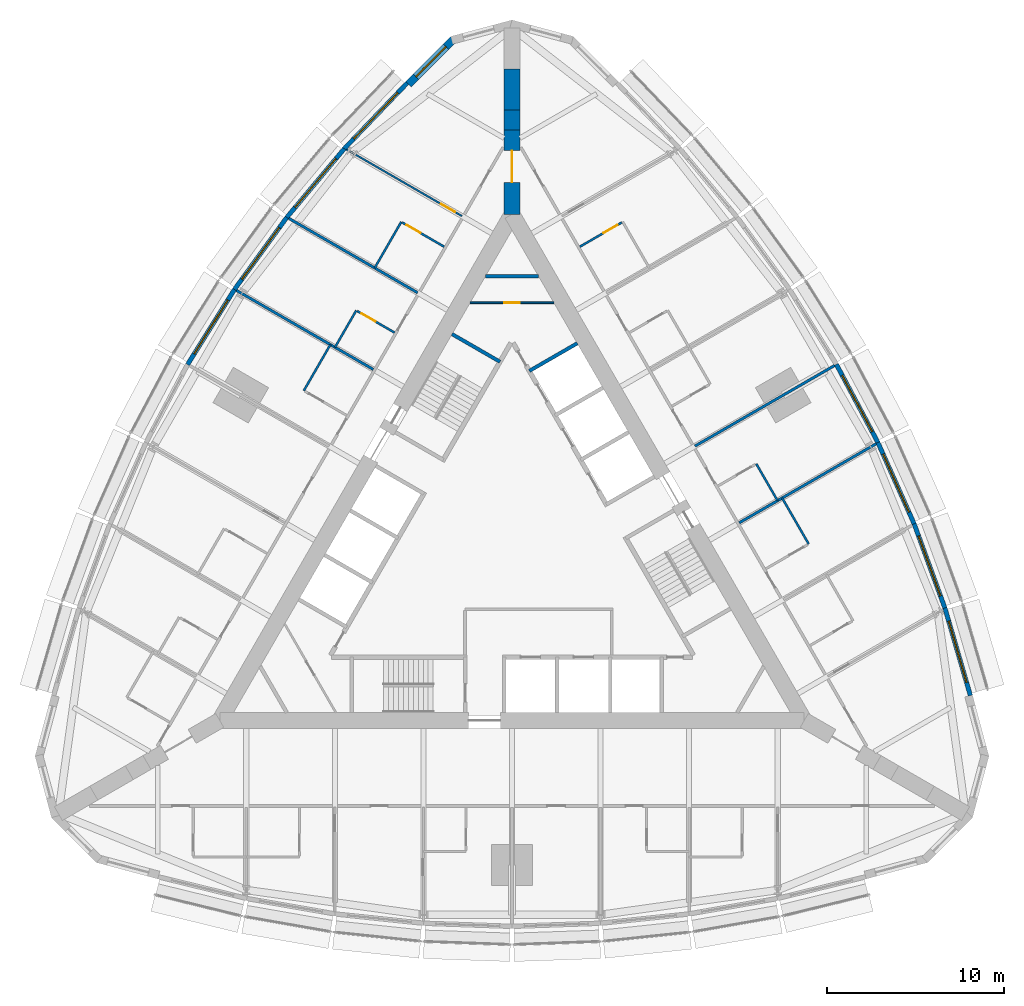
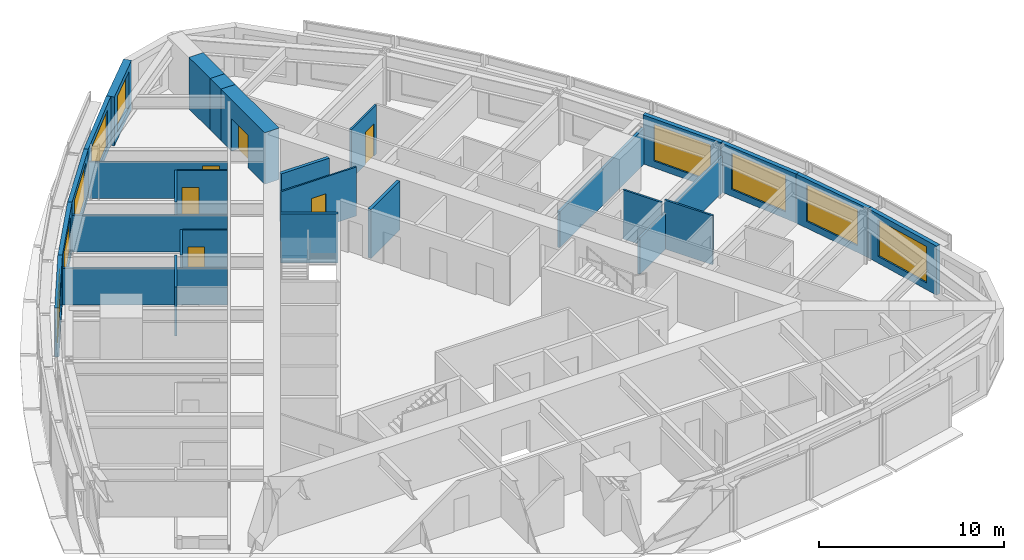
# One storey, part 12 of 14: 29 walls, 9 windows, 6 doors, 15 openings.
"""IFC4 building model written with IfcOpenShell, lengths in metres."""

from ifc_helpers import new_model, si_unit, direction, frame, frame_2d, origin, place, context, subcontext, project, spatial, rectangle, extrude, material, layer, layer_set, type_object, element, fill, save


model = new_model("IFC4")

# Units and contexts
model_context = context("Model", 3, precision=1e-05, world=origin(), true_north=direction((0.0, 1.0)))
body_context = subcontext(model_context, "Body", "Model", "MODEL_VIEW")
ifc_project = project(units=[si_unit("LENGTHUNIT", "METRE"), si_unit("AREAUNIT", "SQUARE_METRE"), si_unit("VOLUMEUNIT", "CUBIC_METRE"), si_unit("PLANEANGLEUNIT", "RADIAN"), si_unit("MASSUNIT", "GRAM", prefix="KILO")], contexts=[model_context])

# Site, building, storey
site_placement = place(None, origin())
site = spatial("IfcSite", under=ifc_project, at=site_placement, CompositionType="ELEMENT")
building_placement = place(site_placement, origin())
building = spatial("IfcBuilding", under=site, at=building_placement, Name="Trikona Tower", CompositionType="ELEMENT")
storey_placement = place(building_placement, frame((0.0, 0.0, 138.5)))
storey = spatial("IfcBuildingStorey", under=building, at=storey_placement, Name="L36", CompositionType="ELEMENT", Elevation=138.5)

# Walls
ifc_material_1 = material(Name="Metal stud and cement board", Category="gypsum")
ifc_layer_1 = layer(ifc_material_1, 0.1201171875)
ifc_layer_set_1 = layer_set([ifc_layer_1], Name="Bathroom wall 120")
wall_type_1 = type_object("IfcWallType", Name="Bathroom wall 120", PredefinedType="PLUMBINGWALL", material=ifc_layer_set_1)
wall_1_placement = place(storey_placement, frame((16.75341796875, 0.434814453125, 0.0), z_axis=(0.0, 0.0, 1.0), x_axis=(-0.499990139034, 0.866031096941, 0.0)))
element("IfcWall", 1, at=wall_1_placement, inside=storey, type_object=wall_type_1, Name="Bathroom wall 3606", PredefinedType="PLUMBINGWALL", context=body_context, shape_type="SweptSolid", body=[
    extrude(rectangle(XDim=3.0, YDim=0.1201171875, at=frame_2d((1.5, 0.0))), origin(), (0.0, 0.0, 1.0), 3.235107421875),
])
wall_2_placement = place(storey_placement, frame((14.993408203125, 2.883056640625, 0.0), z_axis=(0.0, 0.0, 1.0), x_axis=(-0.500001309137, 0.866024647952, 0.0)))
element("IfcWall", 2, at=wall_2_placement, inside=storey, type_object=wall_type_1, Name="Bathroom wall 3607", PredefinedType="PLUMBINGWALL", context=body_context, shape_type="SweptSolid", body=[
    extrude(rectangle(XDim=2.39990234375, YDim=0.1201171875, at=frame_2d((1.199951171875, 0.0))), origin(), (0.0, 0.0, 1.0), 3.235107421875),
])

# Wall, opening, door
wall_3_placement = place(storey_placement, frame((3.82861328125, 17.221435546875, 0.0), z_axis=(0.0, 0.0, 1.0), x_axis=(0.865997131366, 0.500048966069, 0.0)))
wall_3 = element("IfcWall", 3, at=wall_3_placement, inside=storey, type_object=wall_type_1, Name="Bathroom wall 3610.1", PredefinedType="PLUMBINGWALL", context=body_context, shape_type="SweptSolid", body=[
    extrude(rectangle(XDim=2.739990234375, YDim=0.1201171875, at=frame_2d((1.3701171875, 0.0))), origin(), (0.0, 0.0, 1.0), 3.235107421875),
])
opening_1_placement = place(wall_3_placement, frame((1.550048828125, 0.0, 0.0)))
opening_1 = element("IfcOpeningElement", 4, at=opening_1_placement, cuts=wall_3, Name="Opening D2", PredefinedType="OPENING", context=body_context, shape_type="SweptSolid", body=[
    extrude(rectangle(XDim=0.89990234375, YDim=2.1298828125, at=frame_2d((0.449951171875, 1.06494140625))), frame((0.0, 0.070068359375, 0.0), z_axis=(0.0, -1.0, 0.0), x_axis=(1.0, 0.0, 0.0)), (0.0, 0.0, 1.0), 0.14013671875),
])
ifc_material_2 = material(Name="Steel door frame with solid-core timber leaf", Category="steel")
door_type_1 = type_object("IfcDoorType", Name="Bathroom door 900x2130", OperationType="SLIDING_TO_LEFT", PredefinedType="DOOR", material=ifc_material_2)
door_1_placement = place(opening_1_placement, origin())
door_1 = element("IfcDoor", 5, at=door_1_placement, inside=storey, type_object=door_type_1, Name="Bathroom door 3610.1", OperationType="SLIDING_TO_LEFT", OverallHeight=2.1298828125, OverallWidth=0.89990234375, PredefinedType="DOOR", context=body_context, shape_type="SweptSolid", body=[
    extrude(rectangle(XDim=0.89990234375, YDim=2.1298828125, at=frame_2d((0.449951171875, 1.06494140625))), frame((0.0, 0.02490234375, 0.0), z_axis=(0.0, -1.0, 0.0), x_axis=(1.0, 0.0, 0.0)), (0.0, 0.0, 1.0), 0.050048828125),
])
fill(opening_1, door_1)

# Wall
wall_4_placement = place(storey_placement, frame((-6.25341796875, 18.62158203125, 0.0), z_axis=(0.0, 0.0, 1.0), x_axis=(-0.499990139034, -0.866031096941, 0.0)))
element("IfcWall", 6, at=wall_4_placement, inside=storey, type_object=wall_type_1, Name="Bathroom wall 3611.1", PredefinedType="PLUMBINGWALL", context=body_context, shape_type="SweptSolid", body=[
    extrude(rectangle(XDim=3.0, YDim=0.1201171875, at=frame_2d((1.5, 0.0))), origin(), (0.0, 0.0, 1.0), 3.235107421875),
])

# Wall, opening, door
wall_5_placement = place(storey_placement, frame((-3.82861328125, 17.221435546875, 0.0), z_axis=(0.0, 0.0, 1.0), x_axis=(-0.865997131366, 0.500048966069, 0.0)))
wall_5 = element("IfcWall", 7, at=wall_5_placement, inside=storey, type_object=wall_type_1, Name="Bathroom wall 3611.1", PredefinedType="PLUMBINGWALL", context=body_context, shape_type="SweptSolid", body=[
    extrude(rectangle(XDim=2.739990234375, YDim=0.1201171875, at=frame_2d((1.3701171875, 0.0))), origin(), (0.0, 0.0, 1.0), 3.235107421875),
])
opening_2_placement = place(wall_5_placement, frame((1.550048828125, 0.0, 0.0)))
opening_2 = element("IfcOpeningElement", 8, at=opening_2_placement, cuts=wall_5, Name="Opening D2", PredefinedType="OPENING", context=body_context, shape_type="SweptSolid", body=[
    extrude(rectangle(XDim=0.89990234375, YDim=2.1298828125, at=frame_2d((0.449951171875, 1.06494140625))), frame((0.0, 0.070068359375, 0.0), z_axis=(0.0, -1.0, 0.0), x_axis=(1.0, 0.0, 0.0)), (0.0, 0.0, 1.0), 0.14013671875),
])
door_2_placement = place(opening_2_placement, origin())
door_2 = element("IfcDoor", 9, at=door_2_placement, inside=storey, type_object=door_type_1, Name="Bathroom door 3611.1", OperationType="SLIDING_TO_LEFT", OverallHeight=2.1298828125, OverallWidth=0.89990234375, PredefinedType="DOOR", context=body_context, shape_type="SweptSolid", body=[
    extrude(rectangle(XDim=0.89990234375, YDim=2.1298828125, at=frame_2d((0.449951171875, 1.06494140625))), frame((0.0, 0.02490234375, 0.0), z_axis=(0.0, -1.0, 0.0), x_axis=(1.0, 0.0, 0.0)), (0.0, 0.0, 1.0), 0.050048828125),
])
fill(opening_2, door_2)

# Wall
wall_6_placement = place(storey_placement, frame((-8.79345703125, 13.62158203125, 0.0), z_axis=(0.0, 0.0, 1.0), x_axis=(-0.500001309137, -0.866024647952, 0.0)))
element("IfcWall", 10, at=wall_6_placement, inside=storey, type_object=wall_type_1, Name="Bathroom wall 3612", PredefinedType="PLUMBINGWALL", context=body_context, shape_type="SweptSolid", body=[
    extrude(rectangle(XDim=2.39990234375, YDim=0.1201171875, at=frame_2d((1.199951171875, 0.0))), origin(), (0.0, 0.0, 1.0), 3.235107421875),
])

# Wall, opening, door
wall_7_placement = place(storey_placement, frame((-6.62841796875, 12.37158203125, 0.0), z_axis=(0.0, 0.0, 1.0), x_axis=(-0.866005645448, 0.500034220881, 0.0)))
wall_7 = element("IfcWall", 11, at=wall_7_placement, inside=storey, type_object=wall_type_1, Name="Bathroom wall 3612", PredefinedType="PLUMBINGWALL", context=body_context, shape_type="SweptSolid", body=[
    extrude(rectangle(XDim=2.440185546875, YDim=0.1201171875, at=frame_2d((1.22021484375, 0.0))), origin(), (0.0, 0.0, 1.0), 3.235107421875),
])
opening_3_placement = place(wall_7_placement, frame((1.25, 0.0, 0.0)))
opening_3 = element("IfcOpeningElement", 12, at=opening_3_placement, cuts=wall_7, Name="Opening D2", PredefinedType="OPENING", context=body_context, shape_type="SweptSolid", body=[
    extrude(rectangle(XDim=0.89990234375, YDim=2.1298828125, at=frame_2d((0.449951171875, 1.06494140625))), frame((0.0, 0.070068359375, 0.0), z_axis=(0.0, -1.0, 0.0), x_axis=(1.0, 0.0, 0.0)), (0.0, 0.0, 1.0), 0.14013671875),
])
door_3_placement = place(opening_3_placement, origin())
door_3 = element("IfcDoor", 13, at=door_3_placement, inside=storey, type_object=door_type_1, Name="Bathroom door 3612", OperationType="SLIDING_TO_LEFT", OverallHeight=2.1298828125, OverallWidth=0.89990234375, PredefinedType="DOOR", context=body_context, shape_type="SweptSolid", body=[
    extrude(rectangle(XDim=0.89990234375, YDim=2.1298828125, at=frame_2d((0.449951171875, 1.06494140625))), frame((0.0, 0.02490234375, 0.0), z_axis=(0.0, -1.0, 0.0), x_axis=(1.0, 0.0, 0.0)), (0.0, 0.0, 1.0), 0.050048828125),
])
fill(opening_3, door_3)

# Wall
wall_8_placement = place(storey_placement, frame((-10.25341796875, 11.693359375, 0.0), z_axis=(0.0, 0.0, 1.0), x_axis=(-0.499990139034, -0.866031096941, 0.0)))
element("IfcWall", 14, at=wall_8_placement, inside=storey, type_object=wall_type_1, Name="Bathroom wall 3613", PredefinedType="PLUMBINGWALL", context=body_context, shape_type="SweptSolid", body=[
    extrude(rectangle(XDim=3.0, YDim=0.1201171875, at=frame_2d((1.5, 0.0))), origin(), (0.0, 0.0, 1.0), 3.235107421875),
])

# Wall, opening, window
ifc_material_3 = material(Name="Brick-faced precast concrete", Category="masonry")
ifc_layer_2 = layer(ifc_material_3, 0.449951171875)
ifc_layer_set_2 = layer_set([ifc_layer_2], Name="Brick-faced corner wall 450")
wall_type_2 = type_object("IfcWallType", Name="Brick-faced corner wall 450", PredefinedType="SOLIDWALL", material=ifc_layer_set_2)
wall_9_placement = place(storey_placement, frame((-3.304931640625, 28.934814453125, 0.0), z_axis=(0.0, 0.0, 1.0), x_axis=(-0.707106781187, -0.707106781187, 0.0)))
wall_9 = element("IfcWall", 15, at=wall_9_placement, inside=storey, type_object=wall_type_2, Name="External wall L36-23", PredefinedType="SOLIDWALL", context=body_context, shape_type="SweptSolid", body=[
    extrude(rectangle(XDim=3.586181640625, YDim=0.449951171875, at=frame_2d((1.79296875, 0.0))), origin(), (0.0, 0.0, 1.0), 3.235107421875),
])
opening_4_placement = place(wall_9_placement, frame((0.59326171875, 0.0, 0.449951171875)))
opening_4 = element("IfcOpeningElement", 16, at=opening_4_placement, cuts=wall_9, Name="Opening W2424", PredefinedType="OPENING", context=body_context, shape_type="SweptSolid", body=[
    extrude(rectangle(XDim=2.39990234375, YDim=2.39990234375, at=frame_2d((1.199951171875, 1.199951171875))), frame((0.0, 0.23486328125, 0.0), z_axis=(0.0, -1.0, 0.0), x_axis=(1.0, 0.0, 0.0)), (0.0, 0.0, 1.0), 0.469970703125),
])
ifc_material_4 = material(Name="Aluminium-framed double glazing", Category="aluminium")
window_type_1 = type_object("IfcWindowType", Name="Window 2400x2400", PartitioningType="SINGLE_PANEL", PredefinedType="WINDOW", material=ifc_material_4)
window_1_placement = place(opening_4_placement, origin())
window_1 = element("IfcWindow", 17, at=window_1_placement, inside=storey, type_object=window_type_1, Name="Window 3611", OverallHeight=2.39990234375, OverallWidth=2.39990234375, PartitioningType="SINGLE_PANEL", PredefinedType="WINDOW", context=body_context, shape_type="SweptSolid", body=[
    extrude(rectangle(XDim=2.39990234375, YDim=2.39990234375, at=frame_2d((1.199951171875, 1.199951171875))), frame((0.0, 0.030029296875, 0.0), z_axis=(0.0, -1.0, 0.0), x_axis=(1.0, 0.0, 0.0)), (0.0, 0.0, 1.0), 0.06005859375),
])
fill(opening_4, window_1)

# Wall, opening, door
ifc_material_5 = material(Name="Concrete f'c 10000 psi", Category="concrete")
ifc_layer_3 = layer(ifc_material_5, 0.89990234375)
ifc_layer_set_3 = layer_set([ifc_layer_3], Name="Buttress wall 900")
wall_type_3 = type_object("IfcWallType", Name="Buttress wall 900", PredefinedType="SHEAR", material=ifc_layer_set_3)
wall_10_placement = place(storey_placement, frame((0.0, 19.052490234375, 0.0), z_axis=(0.0, 0.0, 1.0), x_axis=(0.0, 1.0, 0.0)))
wall_10 = element("IfcWall", 18, at=wall_10_placement, inside=storey, type_object=wall_type_3, Name="Buttress wall 2", PredefinedType="SHEAR", context=body_context, shape_type="SweptSolid", body=[
    extrude(rectangle(XDim=4.74609375, YDim=0.89990234375, at=frame_2d((2.373046875, 0.0))), origin(), (0.0, 0.0, 1.0), 3.39990234375),
])
opening_5_placement = place(wall_10_placement, frame((1.800048828125, 0.0, 0.0)))
opening_5 = element("IfcOpeningElement", 19, at=opening_5_placement, cuts=wall_10, Name="Opening D10", PredefinedType="OPENING", context=body_context, shape_type="SweptSolid", body=[
    extrude(rectangle(XDim=1.800048828125, YDim=2.1298828125, at=frame_2d((0.89990234375, 1.06494140625))), frame((0.0, 0.4599609375, 0.0), z_axis=(0.0, -1.0, 0.0), x_axis=(1.0, 0.0, 0.0)), (0.0, 0.0, 1.0), 0.919921875),
])
ifc_material_6 = material(Name="Hollow metal door and frame", Category="steel")
door_type_2 = type_object("IfcDoorType", Name="Cross-corridor door pair 1800x2130", OperationType="DOUBLE_DOOR_DOUBLE_SWING", PredefinedType="DOOR", material=ifc_material_6)
door_4_placement = place(opening_5_placement, origin())
door_4 = element("IfcDoor", 20, at=door_4_placement, inside=storey, type_object=door_type_2, Name="Cross-corridor door 2", OperationType="DOUBLE_DOOR_DOUBLE_SWING", OverallHeight=2.1298828125, OverallWidth=1.800048828125, PredefinedType="DOOR", context=body_context, shape_type="SweptSolid", body=[
    extrude(rectangle(XDim=1.800048828125, YDim=2.1298828125, at=frame_2d((0.89990234375, 1.06494140625))), frame((0.0, 0.02490234375, 0.0), z_axis=(0.0, -1.0, 0.0), x_axis=(1.0, 0.0, 0.0)), (0.0, 0.0, 1.0), 0.050048828125),
])
fill(opening_5, door_4)

# Walls
wall_11_placement = place(storey_placement, frame((0.0, 23.798583984375, 0.0), z_axis=(0.0, 0.0, 1.0), x_axis=(0.0, 1.0, 0.0)))
element("IfcWall", 21, at=wall_11_placement, inside=storey, type_object=wall_type_3, Name="Buttress wall 2 part 2", PredefinedType="SHEAR", context=body_context, shape_type="SweptSolid", body=[
    extrude(rectangle(XDim=1.15478515625, YDim=0.89990234375, at=frame_2d((0.577392578125, 0.0))), origin(), (0.0, 0.0, 1.0), 3.39990234375),
])
wall_12_placement = place(storey_placement, frame((0.0, 24.953369140625, 0.0), z_axis=(0.0, 0.0, 1.0), x_axis=(0.0, 1.0, 0.0)))
element("IfcWall", 22, at=wall_12_placement, inside=storey, type_object=wall_type_3, Name="Buttress wall 2 part 3", PredefinedType="SHEAR", context=body_context, shape_type="SweptSolid", body=[
    extrude(rectangle(XDim=2.309326171875, YDim=0.89990234375, at=frame_2d((1.15478515625, 0.0))), origin(), (0.0, 0.0, 1.0), 3.39990234375),
])

# Wall, opening, window
ifc_material_7 = material(Name="Insulated precast concrete spandrel panel", Category="concrete")
ifc_layer_4 = layer(ifc_material_7, 0.25)
ifc_layer_set_4 = layer_set([ifc_layer_4], Name="Inner skin wall 250")
wall_type_4 = type_object("IfcWallType", Name="Inner skin wall 250", PredefinedType="STANDARD", material=ifc_layer_set_4)
wall_13_placement = place(storey_placement, frame((25.8798828125, -8.117919921875, 0.0), z_axis=(0.0, 0.0, 1.0), x_axis=(-0.279528287117, 0.960137457191, 0.0)))
wall_13 = element("IfcWall", 23, at=wall_13_placement, inside=storey, type_object=wall_type_4, Name="External wall L36-12", PredefinedType="STANDARD", context=body_context, shape_type="SweptSolid", body=[
    extrude(rectangle(XDim=5.14794921875, YDim=0.25, at=frame_2d((2.573974609375, 0.0))), origin(), (0.0, 0.0, 1.0), 3.235107421875),
])
opening_6_placement = place(wall_13_placement, frame((0.77392578125, 0.0, 0.449951171875)))
opening_6 = element("IfcOpeningElement", 24, at=opening_6_placement, cuts=wall_13, Name="Opening W3624", PredefinedType="OPENING", context=body_context, shape_type="SweptSolid", body=[
    extrude(rectangle(XDim=3.60009765625, YDim=2.39990234375, at=frame_2d((1.800048828125, 1.199951171875))), frame((0.0, 0.135009765625, 0.0), z_axis=(0.0, -1.0, 0.0), x_axis=(1.0, 0.0, 0.0)), (0.0, 0.0, 1.0), 0.27001953125),
])
ifc_material_8 = material(Name="Aluminium-framed double glazing", Category="aluminium")
window_type_2 = type_object("IfcWindowType", Name="Window 3600x2400", PartitioningType="SINGLE_PANEL", PredefinedType="WINDOW", material=ifc_material_8)
window_2_placement = place(opening_6_placement, origin())
window_2 = element("IfcWindow", 25, at=window_2_placement, inside=storey, type_object=window_type_2, Name="Window 3605", OverallHeight=2.39990234375, OverallWidth=3.60009765625, PartitioningType="SINGLE_PANEL", PredefinedType="WINDOW", context=body_context, shape_type="SweptSolid", body=[
    extrude(rectangle(XDim=3.60009765625, YDim=2.39990234375, at=frame_2d((1.800048828125, 1.199951171875))), frame((0.0, 0.030029296875, 0.0), z_axis=(0.0, -1.0, 0.0), x_axis=(1.0, 0.0, 0.0)), (0.0, 0.0, 1.0), 0.06005859375),
])
fill(opening_6, window_2)

wall_14_placement = place(storey_placement, frame((24.443603515625, -3.18310546875, 0.0), z_axis=(0.0, 0.0, 1.0), x_axis=(-0.343225593282, 0.939252996863, 0.0)))
wall_14 = element("IfcWall", 26, at=wall_14_placement, inside=storey, type_object=wall_type_4, Name="External wall L36-13", PredefinedType="STANDARD", context=body_context, shape_type="SweptSolid", body=[
    extrude(rectangle(XDim=5.075927734375, YDim=0.25, at=frame_2d((2.5380859375, 0.0))), origin(), (0.0, 0.0, 1.0), 3.235107421875),
])
opening_7_placement = place(wall_14_placement, frame((0.738037109375, 0.0, 0.449951171875)))
opening_7 = element("IfcOpeningElement", 27, at=opening_7_placement, cuts=wall_14, Name="Opening W3624", PredefinedType="OPENING", context=body_context, shape_type="SweptSolid", body=[
    extrude(rectangle(XDim=3.60009765625, YDim=2.39990234375, at=frame_2d((1.800048828125, 1.199951171875))), frame((0.0, 0.135009765625, 0.0), z_axis=(0.0, -1.0, 0.0), x_axis=(1.0, 0.0, 0.0)), (0.0, 0.0, 1.0), 0.27001953125),
])
window_3_placement = place(opening_7_placement, origin())
window_3 = element("IfcWindow", 28, at=window_3_placement, inside=storey, type_object=window_type_2, Name="Window 3605.1", OverallHeight=2.39990234375, OverallWidth=3.60009765625, PartitioningType="SINGLE_PANEL", PredefinedType="WINDOW", context=body_context, shape_type="SweptSolid", body=[
    extrude(rectangle(XDim=3.60009765625, YDim=2.39990234375, at=frame_2d((1.800048828125, 1.199951171875))), frame((0.0, 0.030029296875, 0.0), z_axis=(0.0, -1.0, 0.0), x_axis=(1.0, 0.0, 0.0)), (0.0, 0.0, 1.0), 0.06005859375),
])
fill(opening_7, window_3)

wall_15_placement = place(storey_placement, frame((22.70458984375, 1.576416015625, 0.0), z_axis=(0.0, 0.0, 1.0), x_axis=(-0.406832200364, 0.913502906808, 0.0)))
wall_15 = element("IfcWall", 29, at=wall_15_placement, inside=storey, type_object=wall_type_4, Name="External wall L36-14", PredefinedType="STANDARD", context=body_context, shape_type="SweptSolid", body=[
    extrude(rectangle(XDim=5.027587890625, YDim=0.25, at=frame_2d((2.513671875, 0.0))), origin(), (0.0, 0.0, 1.0), 3.235107421875),
])
opening_8_placement = place(wall_15_placement, frame((0.713623046875, 0.0, 0.449951171875)))
opening_8 = element("IfcOpeningElement", 30, at=opening_8_placement, cuts=wall_15, Name="Opening W3624", PredefinedType="OPENING", context=body_context, shape_type="SweptSolid", body=[
    extrude(rectangle(XDim=3.60009765625, YDim=2.39990234375, at=frame_2d((1.800048828125, 1.199951171875))), frame((0.0, 0.135009765625, 0.0), z_axis=(0.0, -1.0, 0.0), x_axis=(1.0, 0.0, 0.0)), (0.0, 0.0, 1.0), 0.27001953125),
])
window_4_placement = place(opening_8_placement, origin())
window_4 = element("IfcWindow", 31, at=window_4_placement, inside=storey, type_object=window_type_2, Name="Window 3606", OverallHeight=2.39990234375, OverallWidth=3.60009765625, PartitioningType="SINGLE_PANEL", PredefinedType="WINDOW", context=body_context, shape_type="SweptSolid", body=[
    extrude(rectangle(XDim=3.60009765625, YDim=2.39990234375, at=frame_2d((1.800048828125, 1.199951171875))), frame((0.0, 0.030029296875, 0.0), z_axis=(0.0, -1.0, 0.0), x_axis=(1.0, 0.0, 0.0)), (0.0, 0.0, 1.0), 0.06005859375),
])
fill(opening_8, window_4)

wall_16_placement = place(storey_placement, frame((20.662841796875, 6.161376953125, 0.0), z_axis=(0.0, 0.0, 1.0), x_axis=(-0.469404966864, 0.882982999317, 0.0)))
wall_16 = element("IfcWall", 32, at=wall_16_placement, inside=storey, type_object=wall_type_4, Name="External wall L36-15", PredefinedType="STANDARD", context=body_context, shape_type="SweptSolid", body=[
    extrude(rectangle(XDim=5.0029296875, YDim=0.25, at=frame_2d((2.50146484375, 0.0))), origin(), (0.0, 0.0, 1.0), 3.235107421875),
])
opening_9_placement = place(wall_16_placement, frame((0.701416015625, 0.0, 0.449951171875)))
opening_9 = element("IfcOpeningElement", 33, at=opening_9_placement, cuts=wall_16, Name="Opening W3624", PredefinedType="OPENING", context=body_context, shape_type="SweptSolid", body=[
    extrude(rectangle(XDim=3.60009765625, YDim=2.39990234375, at=frame_2d((1.800048828125, 1.199951171875))), frame((0.0, 0.135009765625, 0.0), z_axis=(0.0, -1.0, 0.0), x_axis=(1.0, 0.0, 0.0)), (0.0, 0.0, 1.0), 0.27001953125),
])
window_5_placement = place(opening_9_placement, origin())
window_5 = element("IfcWindow", 34, at=window_5_placement, inside=storey, type_object=window_type_2, Name="Window 3607", OverallHeight=2.39990234375, OverallWidth=3.60009765625, PartitioningType="SINGLE_PANEL", PredefinedType="WINDOW", context=body_context, shape_type="SweptSolid", body=[
    extrude(rectangle(XDim=3.60009765625, YDim=2.39990234375, at=frame_2d((1.800048828125, 1.199951171875))), frame((0.0, 0.030029296875, 0.0), z_axis=(0.0, -1.0, 0.0), x_axis=(1.0, 0.0, 0.0)), (0.0, 0.0, 1.0), 0.06005859375),
])
fill(opening_9, window_5)

wall_17_placement = place(storey_placement, frame((-5.90966796875, 26.4716796875, 0.0), z_axis=(0.0, 0.0, 1.0), x_axis=(-0.691719937936, -0.722165858693, 0.0)))
wall_17 = element("IfcWall", 35, at=wall_17_placement, inside=storey, type_object=wall_type_4, Name="External wall L36-24", PredefinedType="STANDARD", context=body_context, shape_type="SweptSolid", body=[
    extrude(rectangle(XDim=5.148193359375, YDim=0.25, at=frame_2d((2.57421875, 0.0))), origin(), (0.0, 0.0, 1.0), 3.235107421875),
])
opening_10_placement = place(wall_17_placement, frame((0.77392578125, 0.0, 0.449951171875)))
opening_10 = element("IfcOpeningElement", 36, at=opening_10_placement, cuts=wall_17, Name="Opening W3624", PredefinedType="OPENING", context=body_context, shape_type="SweptSolid", body=[
    extrude(rectangle(XDim=3.60009765625, YDim=2.39990234375, at=frame_2d((1.800048828125, 1.199951171875))), frame((0.0, 0.135009765625, 0.0), z_axis=(0.0, -1.0, 0.0), x_axis=(1.0, 0.0, 0.0)), (0.0, 0.0, 1.0), 0.27001953125),
])
window_6_placement = place(opening_10_placement, origin())
window_6 = element("IfcWindow", 37, at=window_6_placement, inside=storey, type_object=window_type_2, Name="Window 3611", OverallHeight=2.39990234375, OverallWidth=3.60009765625, PartitioningType="SINGLE_PANEL", PredefinedType="WINDOW", context=body_context, shape_type="SweptSolid", body=[
    extrude(rectangle(XDim=3.60009765625, YDim=2.39990234375, at=frame_2d((1.800048828125, 1.199951171875))), frame((0.0, 0.030029296875, 0.0), z_axis=(0.0, -1.0, 0.0), x_axis=(1.0, 0.0, 0.0)), (0.0, 0.0, 1.0), 0.06005859375),
])
fill(opening_10, window_6)

wall_18_placement = place(storey_placement, frame((-9.465087890625, 22.76025390625, 0.0), z_axis=(0.0, 0.0, 1.0), x_axis=(-0.641810386606, -0.766863369607, 0.0)))
wall_18 = element("IfcWall", 38, at=wall_18_placement, inside=storey, type_object=wall_type_4, Name="External wall L36-25", PredefinedType="STANDARD", context=body_context, shape_type="SweptSolid", body=[
    extrude(rectangle(XDim=5.075927734375, YDim=0.25, at=frame_2d((2.5380859375, 0.0))), origin(), (0.0, 0.0, 1.0), 3.235107421875),
])
opening_11_placement = place(wall_18_placement, frame((0.738037109375, 0.0, 0.449951171875)))
opening_11 = element("IfcOpeningElement", 39, at=opening_11_placement, cuts=wall_18, Name="Opening W3624", PredefinedType="OPENING", context=body_context, shape_type="SweptSolid", body=[
    extrude(rectangle(XDim=3.60009765625, YDim=2.39990234375, at=frame_2d((1.800048828125, 1.199951171875))), frame((0.0, 0.135009765625, 0.0), z_axis=(0.0, -1.0, 0.0), x_axis=(1.0, 0.0, 0.0)), (0.0, 0.0, 1.0), 0.27001953125),
])
window_7_placement = place(opening_11_placement, origin())
window_7 = element("IfcWindow", 40, at=window_7_placement, inside=storey, type_object=window_type_2, Name="Window 3611.1", OverallHeight=2.39990234375, OverallWidth=3.60009765625, PartitioningType="SINGLE_PANEL", PredefinedType="WINDOW", context=body_context, shape_type="SweptSolid", body=[
    extrude(rectangle(XDim=3.60009765625, YDim=2.39990234375, at=frame_2d((1.800048828125, 1.199951171875))), frame((0.0, 0.030029296875, 0.0), z_axis=(0.0, -1.0, 0.0), x_axis=(1.0, 0.0, 0.0)), (0.0, 0.0, 1.0), 0.06005859375),
])
fill(opening_11, window_7)

wall_19_placement = place(storey_placement, frame((-12.717529296875, 18.87451171875, 0.0), z_axis=(0.0, 0.0, 1.0), x_axis=(-0.587669188412, -0.809101307001, 0.0)))
wall_19 = element("IfcWall", 41, at=wall_19_placement, inside=storey, type_object=wall_type_4, Name="External wall L36-26", PredefinedType="STANDARD", context=body_context, shape_type="SweptSolid", body=[
    extrude(rectangle(XDim=5.027587890625, YDim=0.25, at=frame_2d((2.513671875, 0.0))), origin(), (0.0, 0.0, 1.0), 3.235107421875),
])
opening_12_placement = place(wall_19_placement, frame((0.7138671875, 0.0, 0.449951171875)))
opening_12 = element("IfcOpeningElement", 42, at=opening_12_placement, cuts=wall_19, Name="Opening W3624", PredefinedType="OPENING", context=body_context, shape_type="SweptSolid", body=[
    extrude(rectangle(XDim=3.60009765625, YDim=2.39990234375, at=frame_2d((1.800048828125, 1.199951171875))), frame((0.0, 0.135009765625, 0.0), z_axis=(0.0, -1.0, 0.0), x_axis=(1.0, 0.0, 0.0)), (0.0, 0.0, 1.0), 0.27001953125),
])
window_8_placement = place(opening_12_placement, origin())
window_8 = element("IfcWindow", 43, at=window_8_placement, inside=storey, type_object=window_type_2, Name="Window 3612", OverallHeight=2.39990234375, OverallWidth=3.60009765625, PartitioningType="SINGLE_PANEL", PredefinedType="WINDOW", context=body_context, shape_type="SweptSolid", body=[
    extrude(rectangle(XDim=3.60009765625, YDim=2.39990234375, at=frame_2d((1.800048828125, 1.199951171875))), frame((0.0, 0.030029296875, 0.0), z_axis=(0.0, -1.0, 0.0), x_axis=(1.0, 0.0, 0.0)), (0.0, 0.0, 1.0), 0.06005859375),
])
fill(opening_12, window_8)

wall_20_placement = place(storey_placement, frame((-15.667236328125, 14.81396484375, 0.0), z_axis=(0.0, 0.0, 1.0), x_axis=(-0.529990167382, -0.84800378683, 0.0)))
wall_20 = element("IfcWall", 44, at=wall_20_placement, inside=storey, type_object=wall_type_4, Name="External wall L36-27", PredefinedType="STANDARD", context=body_context, shape_type="SweptSolid", body=[
    extrude(rectangle(XDim=5.003173828125, YDim=0.25, at=frame_2d((2.50146484375, 0.0))), origin(), (0.0, 0.0, 1.0), 3.235107421875),
])
opening_13_placement = place(wall_20_placement, frame((0.701416015625, 0.0, 0.449951171875)))
opening_13 = element("IfcOpeningElement", 45, at=opening_13_placement, cuts=wall_20, Name="Opening W3624", PredefinedType="OPENING", context=body_context, shape_type="SweptSolid", body=[
    extrude(rectangle(XDim=3.60009765625, YDim=2.39990234375, at=frame_2d((1.800048828125, 1.199951171875))), frame((0.0, 0.135009765625, 0.0), z_axis=(0.0, -1.0, 0.0), x_axis=(1.0, 0.0, 0.0)), (0.0, 0.0, 1.0), 0.27001953125),
])
window_9_placement = place(opening_13_placement, origin())
window_9 = element("IfcWindow", 46, at=window_9_placement, inside=storey, type_object=window_type_2, Name="Window 3613", OverallHeight=2.39990234375, OverallWidth=3.60009765625, PartitioningType="SINGLE_PANEL", PredefinedType="WINDOW", context=body_context, shape_type="SweptSolid", body=[
    extrude(rectangle(XDim=3.60009765625, YDim=2.39990234375, at=frame_2d((1.800048828125, 1.199951171875))), frame((0.0, 0.030029296875, 0.0), z_axis=(0.0, -1.0, 0.0), x_axis=(1.0, 0.0, 0.0)), (0.0, 0.0, 1.0), 0.06005859375),
])
fill(opening_13, window_9)

# Walls
ifc_material_9 = material(Name="Metal stud and gypsum board, 1-hour acoustic", Category="gypsum")
ifc_layer_5 = layer(ifc_material_9, 0.14990234375)
ifc_layer_set_5 = layer_set([ifc_layer_5], Name="Party wall 150")
wall_type_5 = type_object("IfcWallType", Name="Party wall 150", PredefinedType="PARTITIONING", material=ifc_layer_set_5)
wall_21_placement = place(storey_placement, frame((12.82861328125, 1.633056640625, 0.0), z_axis=(0.0, 0.0, 1.0), x_axis=(0.866027015393, 0.499997208602, 0.0)))
element("IfcWall", 47, at=wall_21_placement, inside=storey, type_object=wall_type_5, Name="Partition L36 F2 u-5", PredefinedType="PARTITIONING", context=body_context, shape_type="SweptSolid", body=[
    extrude(rectangle(XDim=8.92236328125, YDim=0.14990234375, at=frame_2d((4.461181640625, 0.0))), origin(), (0.0, 0.0, 1.0), 2.38916015625),
])
wall_22_placement = place(storey_placement, frame((10.32861328125, 5.963134765625, 0.0), z_axis=(0.0, 0.0, 1.0), x_axis=(0.866025170687, 0.500000403736, 0.0)))
element("IfcWall", 48, at=wall_22_placement, inside=storey, type_object=wall_type_5, Name="Partition L36 F2 u-4.44089e-15", PredefinedType="PARTITIONING", context=body_context, shape_type="SweptSolid", body=[
    extrude(rectangle(XDim=9.0986328125, YDim=0.14990234375, at=frame_2d((4.54931640625, 0.0))), origin(), (0.0, 0.0, 1.0), 2.38916015625),
])
wall_23_placement = place(storey_placement, frame((-5.32861328125, 14.623291015625, 0.0), z_axis=(0.0, 0.0, 1.0), x_axis=(-0.866011723728, 0.500023693804, 0.0)))
element("IfcWall", 49, at=wall_23_placement, inside=storey, type_object=wall_type_5, Name="Partition L36 F3 u-10", PredefinedType="PARTITIONING", context=body_context, shape_type="SweptSolid", body=[
    extrude(rectangle(XDim=8.39501953125, YDim=0.14990234375, at=frame_2d((4.197509765625, 0.0))), origin(), (0.0, 0.0, 1.0), 2.38916015625),
])
wall_24_placement = place(storey_placement, frame((-7.82861328125, 10.293212890625, 0.0), z_axis=(0.0, 0.0, 1.0), x_axis=(-0.866027015393, 0.499997208602, 0.0)))
element("IfcWall", 50, at=wall_24_placement, inside=storey, type_object=wall_type_5, Name="Partition L36 F3 u-5", PredefinedType="PARTITIONING", context=body_context, shape_type="SweptSolid", body=[
    extrude(rectangle(XDim=8.92236328125, YDim=0.14990234375, at=frame_2d((4.461181640625, 0.0))), origin(), (0.0, 0.0, 1.0), 2.38916015625),
])
ifc_material_10 = material(Name="Concrete f'c 8000 psi", Category="concrete")
ifc_layer_6 = layer(ifc_material_10, 0.199951171875)
ifc_layer_set_6 = layer_set([ifc_layer_6], Name="Shaft wall 200")
wall_type_6 = type_object("IfcWallType", Name="Shaft wall 200", PredefinedType="SOLIDWALL", material=ifc_layer_set_6)
wall_25_placement = place(storey_placement, frame((0.97900390625, 10.20703125, 0.0), z_axis=(0.0, 0.0, 1.0), x_axis=(0.866022959057, 0.500004234368, 0.0)))
element("IfcWall", 51, at=wall_25_placement, inside=storey, type_object=wall_type_6, Name="Shaft wall B6", PredefinedType="SOLIDWALL", context=body_context, shape_type="SweptSolid", body=[
    extrude(rectangle(XDim=3.125, YDim=0.199951171875, at=frame_2d((1.5625, 0.0))), origin(), (0.0, 0.0, 1.0), 3.235107421875),
])
wall_26_placement = place(storey_placement, frame((-1.501220703125, 15.552490234375, 0.0), z_axis=(0.0, 0.0, 1.0), x_axis=(1.0, 0.0, 0.0)))
element("IfcWall", 52, at=wall_26_placement, inside=storey, type_object=wall_type_6, Name="Riser wall L36-RS2", PredefinedType="SOLIDWALL", context=body_context, shape_type="SweptSolid", body=[
    extrude(rectangle(XDim=3.00244140625, YDim=0.199951171875, at=frame_2d((1.501220703125, 0.0))), origin(), (0.0, 0.0, 1.0), 3.235107421875),
])
ifc_material_11 = material(Name="Concrete f'c 8000 psi", Category="concrete")
ifc_layer_7 = layer(ifc_material_11, 0.199951171875)
ifc_layer_set_7 = layer_set([ifc_layer_7], Name="Shaft wall 200 load-bearing")
wall_type_7 = type_object("IfcWallType", Name="Shaft wall 200 load-bearing", PredefinedType="SOLIDWALL", material=ifc_layer_set_7)
wall_27_placement = place(storey_placement, frame((-0.678955078125, 10.7265625, 0.0), z_axis=(0.0, 0.0, 1.0), x_axis=(-0.866022959057, 0.500004234368, 0.0)))
element("IfcWall", 53, at=wall_27_placement, inside=storey, type_object=wall_type_7, Name="Shaft wall C1", PredefinedType="SOLIDWALL", context=body_context, shape_type="SweptSolid", body=[
    extrude(rectangle(XDim=3.125, YDim=0.199951171875, at=frame_2d((1.5625, 0.0))), origin(), (0.0, 0.0, 1.0), 3.235107421875),
])

# Wall, opening, door
ifc_material_12 = material(Name="Metal stud and gypsum board, acoustic", Category="gypsum")
ifc_layer_8 = layer(ifc_material_12, 0.10009765625)
ifc_layer_set_8 = layer_set([ifc_layer_8], Name="Suite partition 100")
wall_type_8 = type_object("IfcWallType", Name="Suite partition 100", PredefinedType="PARTITIONING", material=ifc_layer_set_8)
wall_28_placement = place(storey_placement, frame((-2.82861328125, 18.95361328125, 0.0), z_axis=(0.0, 0.0, 1.0), x_axis=(-0.866015739374, 0.500016738876, 0.0)))
wall_28 = element("IfcWall", 54, at=wall_28_placement, inside=storey, type_object=wall_type_8, Name="Suite partition L36 F3 u-15", PredefinedType="PARTITIONING", context=body_context, shape_type="SweptSolid", body=[
    extrude(rectangle(XDim=7.516357421875, YDim=0.10009765625, at=frame_2d((3.75830078125, 0.0))), origin(), (0.0, 0.0, 1.0), 2.38916015625),
])
opening_14_placement = place(wall_28_placement, frame((0.449951171875, 0.0, 0.0)))
opening_14 = element("IfcOpeningElement", 55, at=opening_14_placement, cuts=wall_28, Name="Opening D13", PredefinedType="OPENING", context=body_context, shape_type="SweptSolid", body=[
    extrude(rectangle(XDim=0.89990234375, YDim=2.1298828125, at=frame_2d((0.449951171875, 1.06494140625))), frame((0.0, 0.06005859375, 0.0), z_axis=(0.0, -1.0, 0.0), x_axis=(1.0, 0.0, 0.0)), (0.0, 0.0, 1.0), 0.1201171875),
])
ifc_material_13 = material(Name="Steel door frame with solid-core timber leaf", Category="steel")
door_type_3 = type_object("IfcDoorType", Name="Suite door 900x2130", OperationType="SINGLE_SWING_LEFT", PredefinedType="DOOR", material=ifc_material_13)
door_5_placement = place(opening_14_placement, origin())
door_5 = element("IfcDoor", 56, at=door_5_placement, inside=storey, type_object=door_type_3, Name="Suite door 3611", OperationType="SINGLE_SWING_LEFT", OverallHeight=2.1298828125, OverallWidth=0.89990234375, PredefinedType="DOOR", context=body_context, shape_type="SweptSolid", body=[
    extrude(rectangle(XDim=0.89990234375, YDim=2.1298828125, at=frame_2d((0.449951171875, 1.06494140625))), frame((0.0, 0.02490234375, 0.0), z_axis=(0.0, -1.0, 0.0), x_axis=(1.0, 0.0, 0.0)), (0.0, 0.0, 1.0), 0.050048828125),
])
fill(opening_14, door_5)

wall_29_placement = place(storey_placement, frame((-2.3671875, 14.052490234375, 0.0), z_axis=(0.0, 0.0, 1.0), x_axis=(1.0, 0.0, 0.0)))
wall_29 = element("IfcWall", 57, at=wall_29_placement, inside=storey, type_object=wall_type_8, Name="Store partition L36-RS2", PredefinedType="PARTITIONING", context=body_context, shape_type="SweptSolid", body=[
    extrude(rectangle(XDim=4.734375, YDim=0.10009765625, at=frame_2d((2.3671875, 0.0))), origin(), (0.0, 0.0, 1.0), 3.235107421875),
])
opening_15_placement = place(wall_29_placement, frame((1.9169921875, 0.0, 0.0)))
opening_15 = element("IfcOpeningElement", 58, at=opening_15_placement, cuts=wall_29, Name="Opening D15", PredefinedType="OPENING", context=body_context, shape_type="SweptSolid", body=[
    extrude(rectangle(XDim=0.89990234375, YDim=2.1298828125, at=frame_2d((0.449951171875, 1.06494140625))), frame((0.0, 0.06005859375, 0.0), z_axis=(0.0, -1.0, 0.0), x_axis=(1.0, 0.0, 0.0)), (0.0, 0.0, 1.0), 0.1201171875),
])
ifc_material_14 = material(Name="Steel door frame with solid-core timber leaf", Category="steel")
door_type_4 = type_object("IfcDoorType", Name="Store door 900x2130", OperationType="SINGLE_SWING_LEFT", PredefinedType="DOOR", material=ifc_material_14)
door_6_placement = place(opening_15_placement, origin())
door_6 = element("IfcDoor", 59, at=door_6_placement, inside=storey, type_object=door_type_4, Name="Door Cleaner's store CLN", OperationType="SINGLE_SWING_LEFT", OverallHeight=2.1298828125, OverallWidth=0.89990234375, PredefinedType="DOOR", context=body_context, shape_type="SweptSolid", body=[
    extrude(rectangle(XDim=0.89990234375, YDim=2.1298828125, at=frame_2d((0.449951171875, 1.06494140625))), frame((0.0, 0.02490234375, 0.0), z_axis=(0.0, -1.0, 0.0), x_axis=(1.0, 0.0, 0.0)), (0.0, 0.0, 1.0), 0.050048828125),
])
fill(opening_15, door_6)

save(model, "model.ifc")
